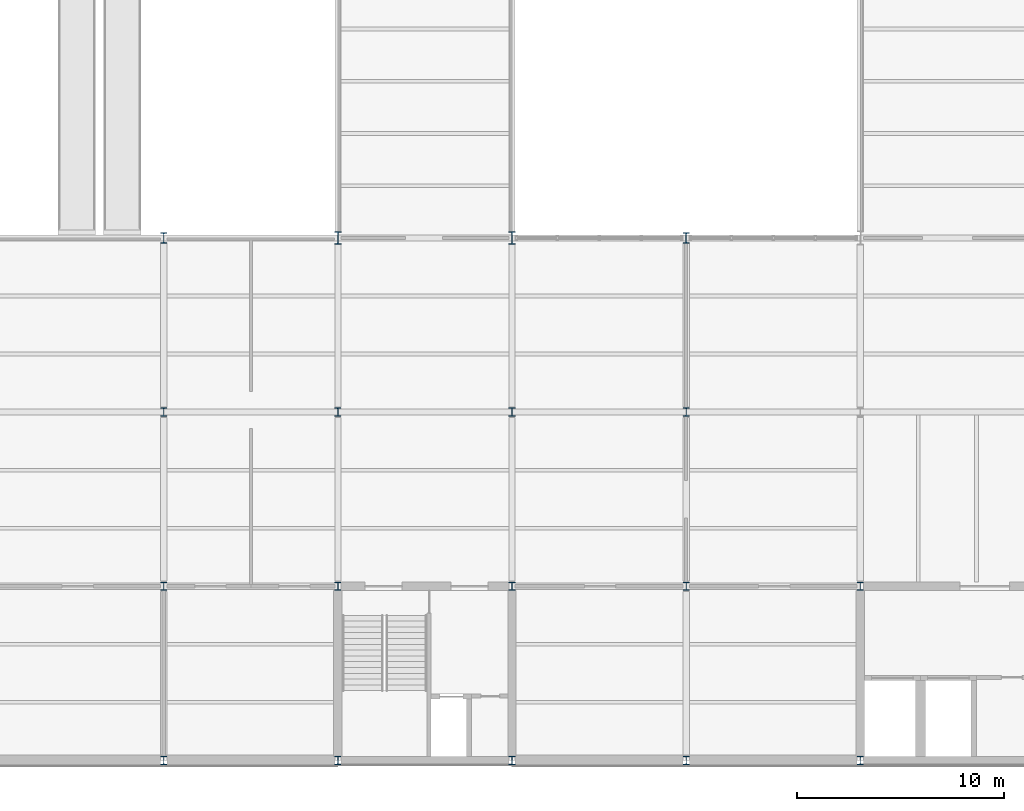
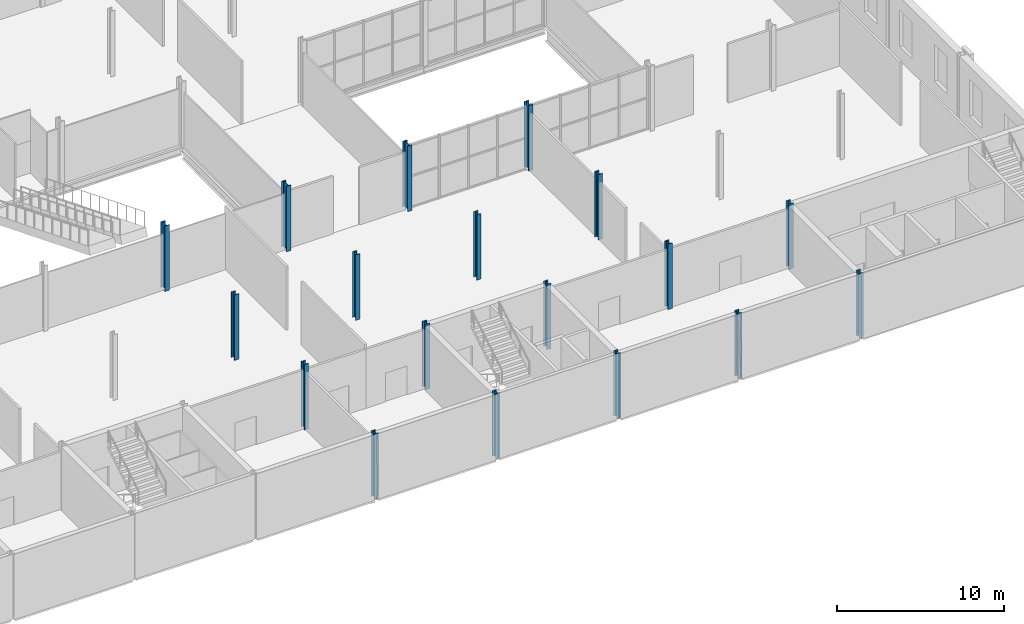
# One storey, part 5 of 52: 18 columns.
"""IFC4 building model written with IfcOpenShell, lengths in metres."""

from ifc_helpers import new_model, si_unit, direction, frame, origin, origin_2d, place, context, subcontext, project, spatial, i_section, extrude, material, material_profile, profile_set, type_object, element, save


model = new_model("IFC4")

# Units and contexts
model_context = context("Model", 3, precision=1e-05, world=origin(), true_north=direction((0.0, 1.0)))
body_context = subcontext(model_context, "Body", "Model", "MODEL_VIEW")
ifc_project = project(units=[si_unit("LENGTHUNIT", "METRE"), si_unit("AREAUNIT", "SQUARE_METRE"), si_unit("VOLUMEUNIT", "CUBIC_METRE"), si_unit("PLANEANGLEUNIT", "RADIAN"), si_unit("MASSUNIT", "GRAM", prefix="KILO")], contexts=[model_context])

# Site, building, storey
site_placement = place(None, origin())
site = spatial("IfcSite", under=ifc_project, at=site_placement, CompositionType="ELEMENT")
building_placement = place(site_placement, origin())
building = spatial("IfcBuilding", under=site, at=building_placement, Name="Galleria Vessillo Department Store", CompositionType="ELEMENT")
storey_placement = place(building_placement, frame((0.0, 0.0, 16.199951171875)))
storey = spatial("IfcBuildingStorey", under=building, at=storey_placement, Name="L03", CompositionType="ELEMENT", Elevation=16.199951171875)

# Columns
ifc_material_1 = material(Name="Steel S355 J2", Category="steel")
ifc_material_profile_1 = material_profile(ifc_material_1, i_section(OverallWidth=0.300048828125, OverallDepth=0.39990234375, WebThickness=0.013427734375, FlangeThickness=0.02392578125, FilletRadius=0.027099609375, at=origin_2d()), Name="HEB 400")
ifc_profile_set_1 = profile_set([ifc_material_profile_1], Name="Steel S355 J2")
column_type_1 = type_object("IfcColumnType", Name="Steel column HEB 400 CP2", PredefinedType="COLUMN", material=ifc_profile_set_1)
for number, where, z_axis, x_axis, name in (
    (1, (67.199951171875, 0.0, 0.0), (0.0, 0.0, 1.0), (1.0, 0.0, 0.0), "S-COL-L03-9-A"),
    (2, (67.199951171875, 8.39990234375, 0.0), (0.0, 0.0, 1.0), (1.0, 0.0, 0.0), "S-COL-L03-9-B"),
    (3, (67.199951171875, 16.800048828125, 0.0), (0.0, 0.0, 1.0), (1.0, 0.0, 0.0), "S-COL-L03-9-C"),
    (4, (75.60009765625, 0.0, 0.0), (0.0, 0.0, 1.0), (1.0, 0.0, 0.0), "S-COL-L03-10-A"),
    (5, (75.60009765625, 8.39990234375, 0.0), (0.0, 0.0, 1.0), (1.0, 0.0, 0.0), "S-COL-L03-10-B"),
    (6, (75.60009765625, 16.800048828125, 0.0), (0.0, 0.0, 1.0), (1.0, 0.0, 0.0), "S-COL-L03-10-C"),
    (7, (84.0, 0.0, 0.0), (0.0, 0.0, 1.0), (1.0, 0.0, 0.0), "S-COL-L03-11-A"),
    (8, (84.0, 8.39990234375, 0.0), (0.0, 0.0, 1.0), (1.0, 0.0, 0.0), "S-COL-L03-11-B"),
    (9, (84.0, 16.800048828125, 0.0), (0.0, 0.0, 1.0), (1.0, 0.0, 0.0), "S-COL-L03-11-C"),
    (10, (92.39990234375, 0.0, 0.0), (0.0, 0.0, 1.0), (1.0, 0.0, 0.0), "S-COL-L03-12-A"),
    (11, (92.39990234375, 8.39990234375, 0.0), (0.0, 0.0, 1.0), (1.0, 0.0, 0.0), "S-COL-L03-12-B"),
    (12, (92.39990234375, 16.800048828125, 0.0), (0.0, 0.0, 1.0), (1.0, 0.0, 0.0), "S-COL-L03-12-C"),
    (13, (100.800048828125, 0.0, 0.0), (0.0, 0.0, 1.0), (1.0, 0.0, 0.0), "S-COL-L03-13-A"),
    (14, (100.800048828125, 8.39990234375, 0.0), (0.0, 0.0, 1.0), (1.0, 0.0, 0.0), "S-COL-L03-13-B"),
):
    element("IfcColumn", number, at=place(storey_placement, frame(where, z_axis=z_axis, x_axis=x_axis)), inside=storey, type_object=column_type_1, Name=name, PredefinedType="COLUMN", context=body_context, shape_type="SweptSolid", body=[
        extrude(i_section(OverallWidth=0.300048828125, OverallDepth=0.39990234375, WebThickness=0.013427734375, FlangeThickness=0.02392578125, FilletRadius=0.027099609375, at=origin_2d()), origin(), (0.0, 0.0, 1.0), 4.800048828125),
    ])
ifc_material_2 = material(Name="Steel S355 J2", Category="steel")
ifc_material_profile_2 = material_profile(ifc_material_2, i_section(OverallWidth=0.305908203125, OverallDepth=0.52392578125, WebThickness=0.02099609375, FlangeThickness=0.0400390625, FilletRadius=0.027099609375, at=origin_2d()), Name="HEM 500")
ifc_profile_set_2 = profile_set([ifc_material_profile_2], Name="Steel S355 J2")
column_type_2 = type_object("IfcColumnType", Name="Steel column HEM 500 CV1", PredefinedType="COLUMN", material=ifc_profile_set_2)
for number, where, z_axis, x_axis, name in (
    (15, (67.199951171875, 25.199951171875, 0.0), (0.0, 0.0, 1.0), (1.0, 0.0, 0.0), "S-COL-L03-9-D"),
    (16, (92.39990234375, 25.199951171875, 0.0), (0.0, 0.0, 1.0), (1.0, 0.0, 0.0), "S-COL-L03-12-D"),
):
    element("IfcColumn", number, at=place(storey_placement, frame(where, z_axis=z_axis, x_axis=x_axis)), inside=storey, type_object=column_type_2, Name=name, PredefinedType="COLUMN", context=body_context, shape_type="SweptSolid", body=[
        extrude(i_section(OverallWidth=0.305908203125, OverallDepth=0.52392578125, WebThickness=0.02099609375, FlangeThickness=0.0400390625, FilletRadius=0.027099609375, at=origin_2d()), origin(), (0.0, 0.0, 1.0), 4.800048828125),
    ])
ifc_material_3 = material(Name="Steel S355 J2", Category="steel")
ifc_material_profile_3 = material_profile(ifc_material_3, i_section(OverallWidth=0.304931640625, OverallDepth=0.6201171875, WebThickness=0.02099609375, FlangeThickness=0.0400390625, FilletRadius=0.027099609375, at=origin_2d()), Name="HEM 600")
ifc_profile_set_3 = profile_set([ifc_material_profile_3], Name="Steel S355 J2")
column_type_3 = type_object("IfcColumnType", Name="Steel column HEM 600 CV2", PredefinedType="COLUMN", material=ifc_profile_set_3)
for number, where, z_axis, x_axis, name in (
    (17, (75.60009765625, 25.199951171875, 0.0), (0.0, 0.0, 1.0), (1.0, 0.0, 0.0), "S-COL-L03-10-D"),
    (18, (84.0, 25.199951171875, 0.0), (0.0, 0.0, 1.0), (1.0, 0.0, 0.0), "S-COL-L03-11-D"),
):
    element("IfcColumn", number, at=place(storey_placement, frame(where, z_axis=z_axis, x_axis=x_axis)), inside=storey, type_object=column_type_3, Name=name, PredefinedType="COLUMN", context=body_context, shape_type="SweptSolid", body=[
        extrude(i_section(OverallWidth=0.304931640625, OverallDepth=0.6201171875, WebThickness=0.02099609375, FlangeThickness=0.0400390625, FilletRadius=0.027099609375, at=origin_2d()), origin(), (0.0, 0.0, 1.0), 4.800048828125),
    ])

save(model, "model.ifc")
